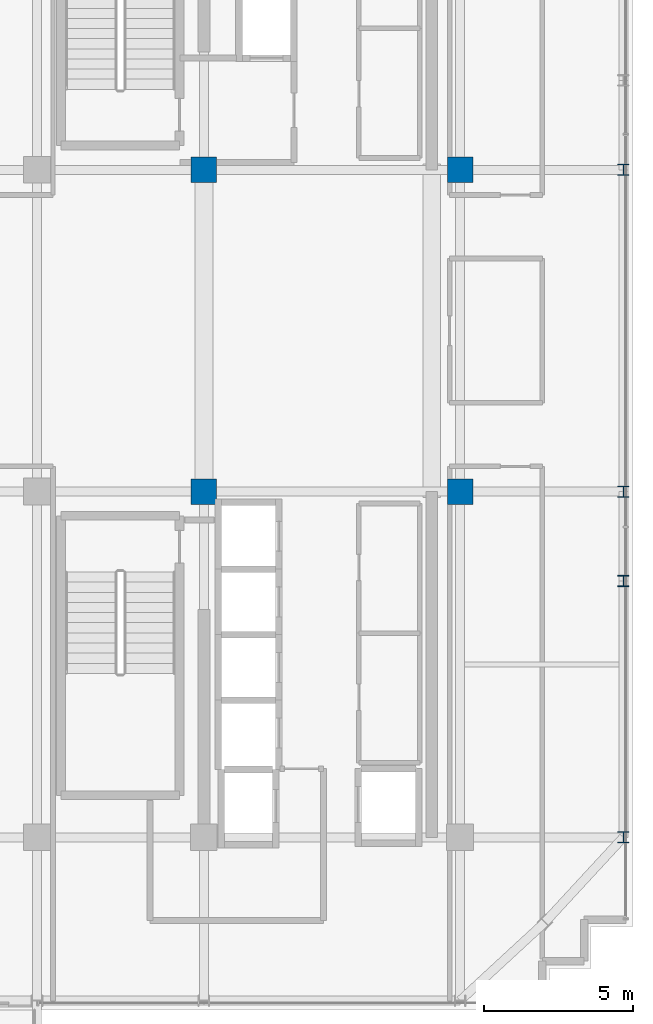
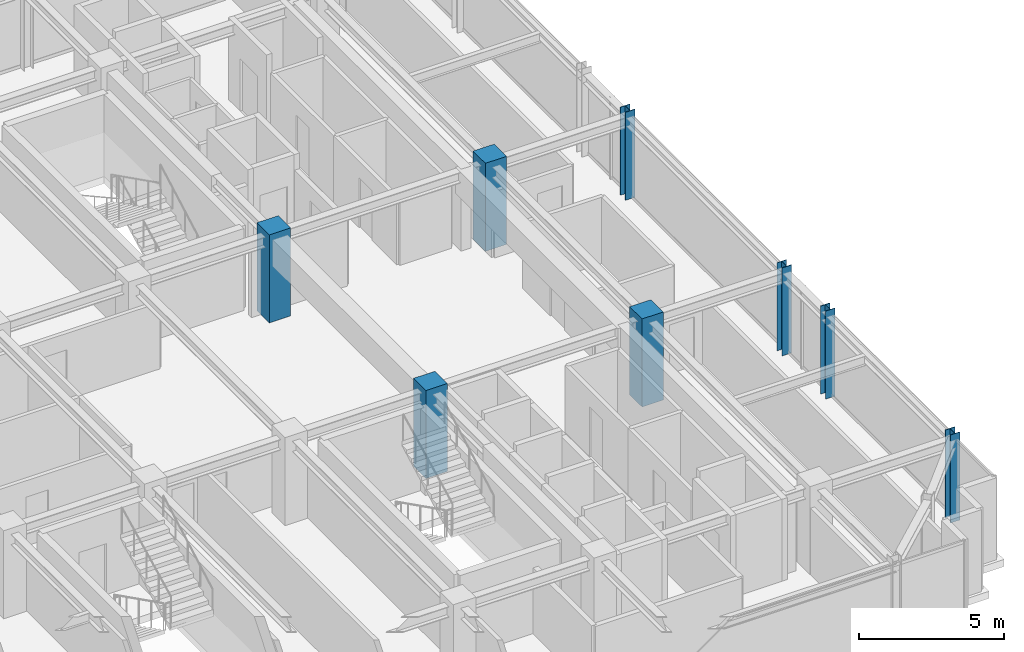
# One storey, part 2 of 31: 8 columns.
"""IFC4 building model written with IfcOpenShell, lengths in metres."""

from ifc_helpers import new_model, si_unit, direction, frame, origin, origin_2d, place, context, subcontext, project, spatial, rectangle, i_section, extrude, source, transform, mapped, material, material_profile, profile_set, type_object, element, save


model = new_model("IFC4")

# Units and contexts
model_context = context("Model", 3, precision=1e-05, world=origin(), true_north=direction((0.0, 1.0)))
body_context = subcontext(model_context, "Body", "Model", "MODEL_VIEW")
ifc_project = project(units=[si_unit("LENGTHUNIT", "METRE"), si_unit("AREAUNIT", "SQUARE_METRE"), si_unit("VOLUMEUNIT", "CUBIC_METRE"), si_unit("PLANEANGLEUNIT", "RADIAN"), si_unit("MASSUNIT", "GRAM", prefix="KILO")], contexts=[model_context])

# Site, building, storey
site_placement = place(None, origin())
site = spatial("IfcSite", under=ifc_project, at=site_placement, CompositionType="ELEMENT")
building_placement = place(site_placement, origin())
building = spatial("IfcBuilding", under=site, at=building_placement, Name="Nahalor Promenade Grand Hotel", CompositionType="ELEMENT")
storey_placement = place(building_placement, frame((0.0, 0.0, 277.550048828125)))
storey = spatial("IfcBuildingStorey", under=building, at=storey_placement, Name="L71", CompositionType="ELEMENT", Elevation=277.550048828125)

# Columns
ifc_material_1 = material(Name="Concrete B-70 (C60/75)", Category="concrete")
ifc_material_profile_1 = material_profile(ifc_material_1, rectangle(XDim=0.85, YDim=0.85, at=origin_2d()), Name="RC 850x850")
ifc_profile_set_1 = profile_set([ifc_material_profile_1], Name="Concrete B-70 (C60/75)")
column_type_1 = type_object("IfcColumnType", Name="Col-Pilaster-850", PredefinedType="PILASTER", material=ifc_profile_set_1)
shared_shape_1 = source(origin(), body_context, "Body", "SweptSolid", [
    extrude(rectangle(XDim=0.85, YDim=0.85, at=origin_2d()), origin(), (0.0, 0.0, 1.0), 3.704833984375),
])
for number, where, z_axis, x_axis, name in (
    (1, (8.39990234375, -5.39990234375, 0.0), (0.0, 0.0, 1.0), (1.0, 0.0, 0.0), "COL-L71-I41"),
    (2, (8.39990234375, 5.39990234375, 0.0), (0.0, 0.0, 1.0), (1.0, 0.0, 0.0), "COL-L71-I42"),
    (3, (17.0, -5.39990234375, 0.0), (0.0, 0.0, 1.0), (1.0, 0.0, 0.0), "COL-L71-I51"),
    (4, (17.0, 5.39990234375, 0.0), (0.0, 0.0, 1.0), (1.0, 0.0, 0.0), "COL-L71-I52"),
):
    element("IfcColumn", number, at=place(storey_placement, frame(where, z_axis=z_axis, x_axis=x_axis)), inside=storey, type_object=column_type_1, Name=name, PredefinedType="PILASTER", context=body_context, shape_type="MappedRepresentation", body=[
        mapped(shared_shape_1, transform((0.0, 0.0, 0.0), scale=1.0)),
    ])
ifc_material_2 = material(Name="Steel S355JR", Category="steel")
ifc_material_profile_2 = material_profile(ifc_material_2, i_section(OverallWidth=0.374, OverallDepth=0.374, WebThickness=0.0144, FlangeThickness=0.0229, at=origin_2d()), Name="HD 360x262")
ifc_profile_set_2 = profile_set([ifc_material_profile_2], Name="Steel S355JR")
column_type_2 = type_object("IfcColumnType", Name="Col-Steel-HD262", PredefinedType="COLUMN", material=ifc_profile_set_2)
shared_shape_2 = source(origin(), body_context, "Body", "SweptSolid", [
    extrude(i_section(OverallWidth=0.374, OverallDepth=0.374, WebThickness=0.0144, FlangeThickness=0.0229, at=origin_2d()), origin(), (0.0, 0.0, 1.0), 3.704833984375),
])
for number, where, z_axis, x_axis, name in (
    (5, (22.47998046875, -17.0, 0.0), (0.0, 0.0, 1.0), (1.0, 0.0, 0.0), "COL-L71-PW-E0"),
    (6, (22.47998046875, -8.39990234375, 0.0), (0.0, 0.0, 1.0), (1.0, 0.0, 0.0), "COL-L71-PW-E1"),
    (7, (22.47998046875, -5.39990234375, 0.0), (0.0, 0.0, 1.0), (1.0, 0.0, 0.0), "COL-L71-PW-E2"),
    (8, (22.47998046875, 5.39990234375, 0.0), (0.0, 0.0, 1.0), (1.0, 0.0, 0.0), "COL-L71-PW-E3"),
):
    element("IfcColumn", number, at=place(storey_placement, frame(where, z_axis=z_axis, x_axis=x_axis)), inside=storey, type_object=column_type_2, Name=name, PredefinedType="COLUMN", context=body_context, shape_type="MappedRepresentation", body=[
        mapped(shared_shape_2, transform((0.0, 0.0, 0.0), scale=1.0)),
    ])

save(model, "model.ifc")
